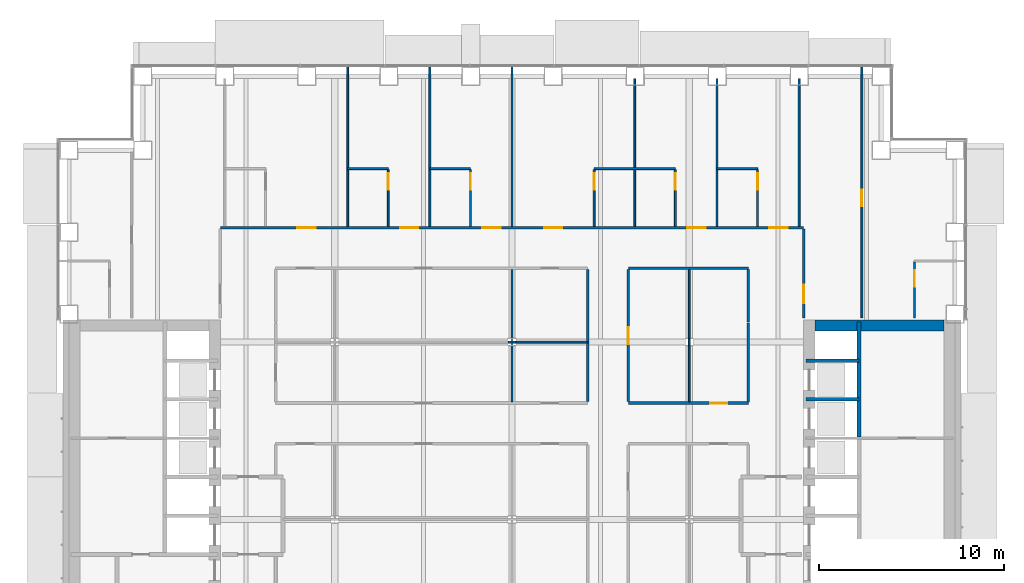
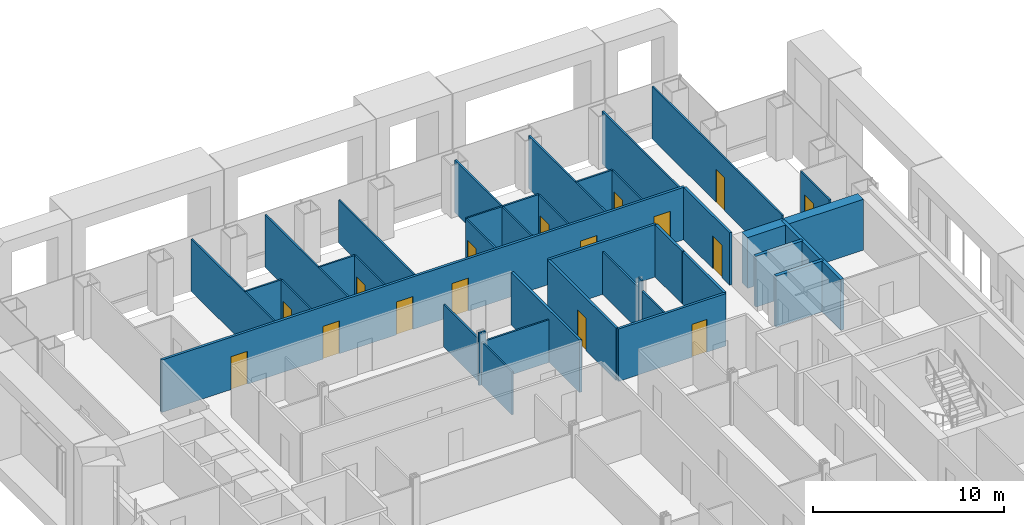
# One storey, part 18 of 25: 37 walls, 16 doors, 16 openings.
"""IFC4 building model written with IfcOpenShell, lengths in metres."""

from ifc_helpers import new_model, si_unit, direction, frame, frame_2d, origin, place, context, subcontext, project, spatial, rectangle, extrude, material, layer, layer_set, type_object, element, fill, save


model = new_model("IFC4")

# Units and contexts
model_context = context("Model", 3, precision=1e-05, world=origin(), true_north=direction((0.0, 1.0)))
body_context = subcontext(model_context, "Body", "Model", "MODEL_VIEW")
ifc_project = project(units=[si_unit("LENGTHUNIT", "METRE"), si_unit("AREAUNIT", "SQUARE_METRE"), si_unit("VOLUMEUNIT", "CUBIC_METRE"), si_unit("PLANEANGLEUNIT", "RADIAN"), si_unit("MASSUNIT", "GRAM", prefix="KILO")], contexts=[model_context])

# Site, building, storey
site_placement = place(None, origin())
site = spatial("IfcSite", under=ifc_project, at=site_placement, CompositionType="ELEMENT")
building_placement = place(site_placement, origin())
building = spatial("IfcBuilding", under=site, at=building_placement, Name="Cobrizo Arcos Hotel Tower", CompositionType="ELEMENT")
storey_placement = place(building_placement, frame((0.0, 0.0, 53.0)))
storey = spatial("IfcBuildingStorey", under=building, at=storey_placement, Name="L11", CompositionType="ELEMENT", Elevation=53.0)

# Wall, opening, door
ifc_material_1 = material(Name="Gypsum board partition")
ifc_layer_1 = layer(ifc_material_1, 0.14990234375)
ifc_layer_set_1 = layer_set([ifc_layer_1], Name="Corridor wall EI 60 150")
wall_type_1 = type_object("IfcWallType", Name="Corridor wall EI 60 150", PredefinedType="PARTITIONING", material=ifc_layer_set_1)
wall_1_placement = place(storey_placement, frame((6.300048828125, 6.300048828125, 0.0), z_axis=(0.0, 0.0, 1.0), x_axis=(1.0, 0.0, 0.0)))
wall_1 = element("IfcWall", 1, at=wall_1_placement, inside=storey, type_object=wall_type_1, Name="Partition 044", PredefinedType="PARTITIONING", context=body_context, shape_type="SweptSolid", body=[
    extrude(rectangle(XDim=6.5, YDim=0.14990234375, at=frame_2d((3.25, 0.0))), origin(), (0.0, 0.0, 1.0), 3.35009765625),
])
opening_1_placement = place(wall_1_placement, frame((4.449951171875, 0.0, 0.0)))
opening_1 = element("IfcOpeningElement", 2, at=opening_1_placement, cuts=wall_1, Name="Opening RD-23", PredefinedType="OPENING", context=body_context, shape_type="SweptSolid", body=[
    extrude(rectangle(XDim=0.89990234375, YDim=2.10009765625, at=frame_2d((0.449951171875, 1.050048828125))), frame((0.0, 0.0869140625, 0.0), z_axis=(0.0, -1.0, 0.0), x_axis=(1.0, 0.0, 0.0)), (0.0, 0.0, 1.0), 0.173828125),
])
ifc_material_2 = material(Name="Timber door leaf", Category="wood")
door_type_1 = type_object("IfcDoorType", Name="Room door FD30 900x2100", OperationType="SINGLE_SWING_LEFT", PredefinedType="DOOR", material=ifc_material_2)
door_1_placement = place(opening_1_placement, origin())
door_1 = element("IfcDoor", 3, at=door_1_placement, inside=storey, type_object=door_type_1, Name="Door RD-23", OperationType="SINGLE_SWING_LEFT", OverallHeight=2.10009765625, OverallWidth=0.89990234375, PredefinedType="DOOR", context=body_context, shape_type="SweptSolid", body=[
    extrude(rectangle(XDim=0.89990234375, YDim=2.10009765625, at=frame_2d((0.449951171875, 1.050048828125))), frame((0.0, 0.02490234375, 0.0), z_axis=(0.0, -1.0, 0.0), x_axis=(1.0, 0.0, 0.0)), (0.0, 0.0, 1.0), 0.050048828125),
])
fill(opening_1, door_1)

# Wall
wall_2_placement = place(storey_placement, frame((6.300048828125, 13.60009765625, 0.0), z_axis=(0.0, 0.0, 1.0), x_axis=(1.0, 0.0, 0.0)))
element("IfcWall", 4, at=wall_2_placement, inside=storey, type_object=wall_type_1, Name="Partition 055", PredefinedType="PARTITIONING", context=body_context, shape_type="SweptSolid", body=[
    extrude(rectangle(XDim=6.5, YDim=0.14990234375, at=frame_2d((3.25, 0.0))), origin(), (0.0, 0.0, 1.0), 3.35009765625),
])

# Wall, openings, doors
wall_3_placement = place(storey_placement, frame((-15.800048828125, 15.800048828125, 0.0), z_axis=(0.0, 0.0, 1.0), x_axis=(1.0, 0.0, 0.0)))
wall_3 = element("IfcWall", 5, at=wall_3_placement, inside=storey, type_object=wall_type_1, Name="Partition 058", PredefinedType="PARTITIONING", context=body_context, shape_type="SweptSolid", body=[
    extrude(rectangle(XDim=31.60009765625, YDim=0.14990234375, at=frame_2d((15.800048828125, 0.0))), origin(), (0.0, 0.0, 1.0), 3.35009765625),
])
opening_2_placement = place(wall_3_placement, frame((4.177978515625, 0.0, 0.0)))
opening_2 = element("IfcOpeningElement", 6, at=opening_2_placement, cuts=wall_3, Name="Opening GD-01", PredefinedType="OPENING", context=body_context, shape_type="SweptSolid", body=[
    extrude(rectangle(XDim=1.0, YDim=2.10009765625, at=frame_2d((0.5, 1.050048828125))), frame((0.0, 0.0869140625, 0.0), z_axis=(0.0, -1.0, 0.0), x_axis=(1.0, 0.0, 0.0)), (0.0, 0.0, 1.0), 0.173828125),
])
opening_3_placement = place(wall_3_placement, frame((9.73388671875, 0.0, 0.0)))
opening_3 = element("IfcOpeningElement", 7, at=opening_3_placement, cuts=wall_3, Name="Opening GD-02", PredefinedType="OPENING", context=body_context, shape_type="SweptSolid", body=[
    extrude(rectangle(XDim=1.0, YDim=2.10009765625, at=frame_2d((0.5, 1.050048828125))), frame((0.0, 0.0869140625, 0.0), z_axis=(0.0, -1.0, 0.0), x_axis=(1.0, 0.0, 0.0)), (0.0, 0.0, 1.0), 0.173828125),
])
opening_4_placement = place(wall_3_placement, frame((14.177978515625, 0.0, 0.0)))
opening_4 = element("IfcOpeningElement", 8, at=opening_4_placement, cuts=wall_3, Name="Opening GD-03", PredefinedType="OPENING", context=body_context, shape_type="SweptSolid", body=[
    extrude(rectangle(XDim=1.0, YDim=2.10009765625, at=frame_2d((0.5, 1.050048828125))), frame((0.0, 0.0869140625, 0.0), z_axis=(0.0, -1.0, 0.0), x_axis=(1.0, 0.0, 0.0)), (0.0, 0.0, 1.0), 0.173828125),
])
opening_5_placement = place(wall_3_placement, frame((17.533935546875, 0.0, 0.0)))
opening_5 = element("IfcOpeningElement", 9, at=opening_5_placement, cuts=wall_3, Name="Opening GD-04", PredefinedType="OPENING", context=body_context, shape_type="SweptSolid", body=[
    extrude(rectangle(XDim=1.0, YDim=2.10009765625, at=frame_2d((0.5, 1.050048828125))), frame((0.0, 0.0869140625, 0.0), z_axis=(0.0, -1.0, 0.0), x_axis=(1.0, 0.0, 0.0)), (0.0, 0.0, 1.0), 0.173828125),
])
opening_6_placement = place(wall_3_placement, frame((25.2890625, 0.0, 0.0)))
opening_6 = element("IfcOpeningElement", 10, at=opening_6_placement, cuts=wall_3, Name="Opening GD-05", PredefinedType="OPENING", context=body_context, shape_type="SweptSolid", body=[
    extrude(rectangle(XDim=1.0, YDim=2.10009765625, at=frame_2d((0.5, 1.050048828125))), frame((0.0, 0.0869140625, 0.0), z_axis=(0.0, -1.0, 0.0), x_axis=(1.0, 0.0, 0.0)), (0.0, 0.0, 1.0), 0.173828125),
])
opening_7_placement = place(wall_3_placement, frame((29.73291015625, 0.0, 0.0)))
opening_7 = element("IfcOpeningElement", 11, at=opening_7_placement, cuts=wall_3, Name="Opening GD-06", PredefinedType="OPENING", context=body_context, shape_type="SweptSolid", body=[
    extrude(rectangle(XDim=1.0, YDim=2.10009765625, at=frame_2d((0.5, 1.050048828125))), frame((0.0, 0.0869140625, 0.0), z_axis=(0.0, -1.0, 0.0), x_axis=(1.0, 0.0, 0.0)), (0.0, 0.0, 1.0), 0.173828125),
])
door_type_2 = type_object("IfcDoorType", Name="Guest room door FD30S 1000x2100", OperationType="SINGLE_SWING_LEFT", PredefinedType="DOOR", material=ifc_material_2)
door_2_placement = place(opening_2_placement, origin())
door_2 = element("IfcDoor", 12, at=door_2_placement, inside=storey, type_object=door_type_2, Name="Door GD-01", OperationType="SINGLE_SWING_LEFT", OverallHeight=2.10009765625, OverallWidth=1.0, PredefinedType="DOOR", context=body_context, shape_type="SweptSolid", body=[
    extrude(rectangle(XDim=1.0, YDim=2.10009765625, at=frame_2d((0.5, 1.050048828125))), frame((0.0, 0.02490234375, 0.0), z_axis=(0.0, -1.0, 0.0), x_axis=(1.0, 0.0, 0.0)), (0.0, 0.0, 1.0), 0.050048828125),
])
fill(opening_2, door_2)
door_3_placement = place(opening_3_placement, origin())
door_3 = element("IfcDoor", 13, at=door_3_placement, inside=storey, type_object=door_type_2, Name="Door GD-02", OperationType="SINGLE_SWING_LEFT", OverallHeight=2.10009765625, OverallWidth=1.0, PredefinedType="DOOR", context=body_context, shape_type="SweptSolid", body=[
    extrude(rectangle(XDim=1.0, YDim=2.10009765625, at=frame_2d((0.5, 1.050048828125))), frame((0.0, 0.02490234375, 0.0), z_axis=(0.0, -1.0, 0.0), x_axis=(1.0, 0.0, 0.0)), (0.0, 0.0, 1.0), 0.050048828125),
])
fill(opening_3, door_3)
door_4_placement = place(opening_4_placement, origin())
door_4 = element("IfcDoor", 14, at=door_4_placement, inside=storey, type_object=door_type_2, Name="Door GD-03", OperationType="SINGLE_SWING_LEFT", OverallHeight=2.10009765625, OverallWidth=1.0, PredefinedType="DOOR", context=body_context, shape_type="SweptSolid", body=[
    extrude(rectangle(XDim=1.0, YDim=2.10009765625, at=frame_2d((0.5, 1.050048828125))), frame((0.0, 0.02490234375, 0.0), z_axis=(0.0, -1.0, 0.0), x_axis=(1.0, 0.0, 0.0)), (0.0, 0.0, 1.0), 0.050048828125),
])
fill(opening_4, door_4)
door_5_placement = place(opening_5_placement, origin())
door_5 = element("IfcDoor", 15, at=door_5_placement, inside=storey, type_object=door_type_2, Name="Door GD-04", OperationType="SINGLE_SWING_RIGHT", OverallHeight=2.10009765625, OverallWidth=1.0, PredefinedType="DOOR", context=body_context, shape_type="SweptSolid", body=[
    extrude(rectangle(XDim=1.0, YDim=2.10009765625, at=frame_2d((0.5, 1.050048828125))), frame((0.0, 0.02490234375, 0.0), z_axis=(0.0, -1.0, 0.0), x_axis=(1.0, 0.0, 0.0)), (0.0, 0.0, 1.0), 0.050048828125),
])
fill(opening_5, door_5)
door_6_placement = place(opening_6_placement, origin())
door_6 = element("IfcDoor", 16, at=door_6_placement, inside=storey, type_object=door_type_2, Name="Door GD-05", OperationType="SINGLE_SWING_LEFT", OverallHeight=2.10009765625, OverallWidth=1.0, PredefinedType="DOOR", context=body_context, shape_type="SweptSolid", body=[
    extrude(rectangle(XDim=1.0, YDim=2.10009765625, at=frame_2d((0.5, 1.050048828125))), frame((0.0, 0.02490234375, 0.0), z_axis=(0.0, -1.0, 0.0), x_axis=(1.0, 0.0, 0.0)), (0.0, 0.0, 1.0), 0.050048828125),
])
fill(opening_6, door_6)
door_7_placement = place(opening_7_placement, origin())
door_7 = element("IfcDoor", 17, at=door_7_placement, inside=storey, type_object=door_type_2, Name="Door GD-06", OperationType="SINGLE_SWING_LEFT", OverallHeight=2.10009765625, OverallWidth=1.0, PredefinedType="DOOR", context=body_context, shape_type="SweptSolid", body=[
    extrude(rectangle(XDim=1.0, YDim=2.10009765625, at=frame_2d((0.5, 1.050048828125))), frame((0.0, 0.02490234375, 0.0), z_axis=(0.0, -1.0, 0.0), x_axis=(1.0, 0.0, 0.0)), (0.0, 0.0, 1.0), 0.050048828125),
])
fill(opening_7, door_7)

# Wall
wall_4_placement = place(storey_placement, frame((4.10009765625, 6.375, 0.0), z_axis=(0.0, 0.0, 1.0), x_axis=(0.0, 1.0, 0.0)))
element("IfcWall", 18, at=wall_4_placement, inside=storey, type_object=wall_type_1, Name="Partition 105", PredefinedType="PARTITIONING", context=body_context, shape_type="SweptSolid", body=[
    extrude(rectangle(XDim=7.14990234375, YDim=0.14990234375, at=frame_2d((3.574951171875, 0.0))), origin(), (0.0, 0.0, 1.0), 3.35009765625),
])

# Wall, opening, door
wall_5_placement = place(storey_placement, frame((6.300048828125, 6.375, 0.0), z_axis=(0.0, 0.0, 1.0), x_axis=(0.0, 1.0, 0.0)))
wall_5 = element("IfcWall", 19, at=wall_5_placement, inside=storey, type_object=wall_type_1, Name="Partition 109", PredefinedType="PARTITIONING", context=body_context, shape_type="SweptSolid", body=[
    extrude(rectangle(XDim=7.14990234375, YDim=0.14990234375, at=frame_2d((3.574951171875, 0.0))), origin(), (0.0, 0.0, 1.0), 3.35009765625),
])
opening_8_placement = place(wall_5_placement, frame((3.125, 0.0, 0.0)))
opening_8 = element("IfcOpeningElement", 20, at=opening_8_placement, cuts=wall_5, Name="Opening RD-24", PredefinedType="OPENING", context=body_context, shape_type="SweptSolid", body=[
    extrude(rectangle(XDim=0.89990234375, YDim=2.10009765625, at=frame_2d((0.449951171875, 1.050048828125))), frame((0.0, 0.0869140625, 0.0), z_axis=(0.0, -1.0, 0.0), x_axis=(1.0, 0.0, 0.0)), (0.0, 0.0, 1.0), 0.173828125),
])
door_8_placement = place(opening_8_placement, origin())
door_8 = element("IfcDoor", 21, at=door_8_placement, inside=storey, type_object=door_type_1, Name="Door RD-24", OperationType="SINGLE_SWING_RIGHT", OverallHeight=2.10009765625, OverallWidth=0.89990234375, PredefinedType="DOOR", context=body_context, shape_type="SweptSolid", body=[
    extrude(rectangle(XDim=0.89990234375, YDim=2.10009765625, at=frame_2d((0.449951171875, 1.050048828125))), frame((0.0, 0.02490234375, 0.0), z_axis=(0.0, -1.0, 0.0), x_axis=(1.0, 0.0, 0.0)), (0.0, 0.0, 1.0), 0.050048828125),
])
fill(opening_8, door_8)

# Walls
wall_6_placement = place(storey_placement, frame((12.800048828125, 6.35009765625, 0.0), z_axis=(0.0, 0.0, 1.0), x_axis=(0.0, 1.0, 0.0)))
element("IfcWall", 22, at=wall_6_placement, inside=storey, type_object=wall_type_1, Name="Partition 124", PredefinedType="PARTITIONING", context=body_context, shape_type="SweptSolid", body=[
    extrude(rectangle(XDim=4.2998046875, YDim=0.14990234375, at=frame_2d((2.14990234375, 0.0))), origin(), (0.0, 0.0, 1.0), 3.35009765625),
])
wall_7_placement = place(storey_placement, frame((12.800048828125, 10.699951171875, 0.0), z_axis=(0.0, 0.0, 1.0), x_axis=(0.0, 1.0, 0.0)))
element("IfcWall", 23, at=wall_7_placement, inside=storey, type_object=wall_type_1, Name="Partition 125", PredefinedType="PARTITIONING", context=body_context, shape_type="SweptSolid", body=[
    extrude(rectangle(XDim=2.824951171875, YDim=0.14990234375, at=frame_2d((1.41259765625, 0.0))), origin(), (0.0, 0.0, 1.0), 3.35009765625),
])

# Wall, opening, door
wall_8_placement = place(storey_placement, frame((15.800048828125, 10.919921875, 0.0), z_axis=(0.0, 0.0, 1.0), x_axis=(0.0, 1.0, 0.0)))
wall_8 = element("IfcWall", 24, at=wall_8_placement, inside=storey, type_object=wall_type_1, Name="Partition 131", PredefinedType="PARTITIONING", context=body_context, shape_type="SweptSolid", body=[
    extrude(rectangle(XDim=4.80517578125, YDim=0.14990234375, at=frame_2d((2.402587890625, 0.0))), origin(), (0.0, 0.0, 1.0), 3.35009765625),
])
opening_9_placement = place(wall_8_placement, frame((0.780029296875, 0.0, 0.0)))
opening_9 = element("IfcOpeningElement", 25, at=opening_9_placement, cuts=wall_8, Name="Opening GD-15", PredefinedType="OPENING", context=body_context, shape_type="SweptSolid", body=[
    extrude(rectangle(XDim=1.0, YDim=2.10009765625, at=frame_2d((0.5, 1.050048828125))), frame((0.0, 0.0869140625, 0.0), z_axis=(0.0, -1.0, 0.0), x_axis=(1.0, 0.0, 0.0)), (0.0, 0.0, 1.0), 0.173828125),
])
door_9_placement = place(opening_9_placement, origin())
door_9 = element("IfcDoor", 26, at=door_9_placement, inside=storey, type_object=door_type_2, Name="Door GD-15", OperationType="SINGLE_SWING_LEFT", OverallHeight=2.10009765625, OverallWidth=1.0, PredefinedType="DOOR", context=body_context, shape_type="SweptSolid", body=[
    extrude(rectangle(XDim=1.0, YDim=2.10009765625, at=frame_2d((0.5, 1.050048828125))), frame((0.0, 0.02490234375, 0.0), z_axis=(0.0, -1.0, 0.0), x_axis=(1.0, 0.0, 0.0)), (0.0, 0.0, 1.0), 0.050048828125),
])
fill(opening_9, door_9)

# Walls
ifc_layer_2 = layer(ifc_material_1, 0.10009765625)
ifc_layer_set_2 = layer_set([ifc_layer_2], Name="Partition EI 30 100")
wall_type_2 = type_object("IfcWallType", Name="Partition EI 30 100", PredefinedType="PARTITIONING", material=ifc_layer_set_2)
wall_9_placement = place(storey_placement, frame((-0.2041015625, 9.60009765625, 0.0), z_axis=(0.0, 0.0, 1.0), x_axis=(1.0, 0.0, 0.0)))
element("IfcWall", 27, at=wall_9_placement, inside=storey, type_object=wall_type_2, Name="Partition 052", PredefinedType="PARTITIONING", context=body_context, shape_type="SweptSolid", body=[
    extrude(rectangle(XDim=0.408203125, YDim=0.10009765625, at=frame_2d((0.2041015625, 0.0))), origin(), (0.0, 0.0, 1.0), 3.35009765625),
])
wall_10_placement = place(storey_placement, frame((0.2041015625, 9.60009765625, 0.0), z_axis=(0.0, 0.0, 1.0), x_axis=(1.0, 0.0, 0.0)))
element("IfcWall", 28, at=wall_10_placement, inside=storey, type_object=wall_type_2, Name="Partition 053", PredefinedType="PARTITIONING", context=body_context, shape_type="SweptSolid", body=[
    extrude(rectangle(XDim=3.89599609375, YDim=0.10009765625, at=frame_2d((1.947998046875, 0.0))), origin(), (0.0, 0.0, 1.0), 2.72802734375),
])
for number, where, z_axis, x_axis, name in (
    (29, (-8.89990234375, 19.0, 0.0), (0.0, 0.0, 1.0), (1.0, 0.0, 0.0), "Partition 060"),
    (30, (-4.449951171875, 19.0, 0.0), (0.0, 0.0, 1.0), (1.0, 0.0, 0.0), "Partition 061"),
):
    element("IfcWall", number, at=place(storey_placement, frame(where, z_axis=z_axis, x_axis=x_axis)), inside=storey, type_object=wall_type_2, Name=name, PredefinedType="PARTITIONING", context=body_context, shape_type="SweptSolid", body=[
        extrude(rectangle(XDim=2.199951171875, YDim=0.10009765625, at=frame_2d((1.10009765625, 0.0))), origin(), (0.0, 0.0, 1.0), 3.35009765625),
    ])
wall_11_placement = place(storey_placement, frame((4.449951171875, 19.0, 0.0), z_axis=(0.0, 0.0, 1.0), x_axis=(1.0, 0.0, 0.0)))
element("IfcWall", 31, at=wall_11_placement, inside=storey, type_object=wall_type_2, Name="Partition 062", PredefinedType="PARTITIONING", context=body_context, shape_type="SweptSolid", body=[
    extrude(rectangle(XDim=4.400146484375, YDim=0.10009765625, at=frame_2d((2.2001953125, 0.0))), origin(), (0.0, 0.0, 1.0), 3.35009765625),
])
wall_12_placement = place(storey_placement, frame((11.10009765625, 19.0, 0.0), z_axis=(0.0, 0.0, 1.0), x_axis=(1.0, 0.0, 0.0)))
element("IfcWall", 32, at=wall_12_placement, inside=storey, type_object=wall_type_2, Name="Partition 063", PredefinedType="PARTITIONING", context=body_context, shape_type="SweptSolid", body=[
    extrude(rectangle(XDim=2.199951171875, YDim=0.10009765625, at=frame_2d((1.10009765625, 0.0))), origin(), (0.0, 0.0, 1.0), 3.35009765625),
])
wall_13_placement = place(storey_placement, frame((-8.89990234375, 15.875, 0.0), z_axis=(0.0, 0.0, 1.0), x_axis=(0.0, 1.0, 0.0)))
element("IfcWall", 33, at=wall_13_placement, inside=storey, type_object=wall_type_2, Name="Partition 088", PredefinedType="PARTITIONING", context=body_context, shape_type="SweptSolid", body=[
    extrude(rectangle(XDim=8.655029296875, YDim=0.10009765625, at=frame_2d((4.32763671875, 0.0))), origin(), (0.0, 0.0, 1.0), 3.35009765625),
])

# Wall, opening, door
wall_14_placement = place(storey_placement, frame((-6.699951171875, 15.875, 0.0), z_axis=(0.0, 0.0, 1.0), x_axis=(0.0, 1.0, 0.0)))
wall_14 = element("IfcWall", 34, at=wall_14_placement, inside=storey, type_object=wall_type_2, Name="Partition 090", PredefinedType="PARTITIONING", context=body_context, shape_type="SweptSolid", body=[
    extrude(rectangle(XDim=3.074951171875, YDim=0.10009765625, at=frame_2d((1.53759765625, 0.0))), origin(), (0.0, 0.0, 1.0), 3.35009765625),
])
opening_10_placement = place(wall_14_placement, frame((1.970947265625, 0.0, 0.0)))
opening_10 = element("IfcOpeningElement", 35, at=opening_10_placement, cuts=wall_14, Name="Opening ED-02", PredefinedType="OPENING", context=body_context, shape_type="SweptSolid", body=[
    extrude(rectangle(XDim=0.89990234375, YDim=2.10009765625, at=frame_2d((0.449951171875, 1.050048828125))), frame((0.0, 0.06201171875, 0.0), z_axis=(0.0, -1.0, 0.0), x_axis=(1.0, 0.0, 0.0)), (0.0, 0.0, 1.0), 0.1240234375),
])
door_type_3 = type_object("IfcDoorType", Name="En-suite door 900x2100", OperationType="SINGLE_SWING_LEFT", PredefinedType="DOOR", material=ifc_material_2)
door_10_placement = place(opening_10_placement, origin())
door_10 = element("IfcDoor", 36, at=door_10_placement, inside=storey, type_object=door_type_3, Name="Door ED-02", OperationType="SINGLE_SWING_LEFT", OverallHeight=2.10009765625, OverallWidth=0.89990234375, PredefinedType="DOOR", context=body_context, shape_type="SweptSolid", body=[
    extrude(rectangle(XDim=0.89990234375, YDim=2.10009765625, at=frame_2d((0.449951171875, 1.050048828125))), frame((0.0, 0.02490234375, 0.0), z_axis=(0.0, -1.0, 0.0), x_axis=(1.0, 0.0, 0.0)), (0.0, 0.0, 1.0), 0.050048828125),
])
fill(opening_10, door_10)

# Wall
wall_15_placement = place(storey_placement, frame((-4.449951171875, 15.875, 0.0), z_axis=(0.0, 0.0, 1.0), x_axis=(0.0, 1.0, 0.0)))
element("IfcWall", 37, at=wall_15_placement, inside=storey, type_object=wall_type_2, Name="Partition 092", PredefinedType="PARTITIONING", context=body_context, shape_type="SweptSolid", body=[
    extrude(rectangle(XDim=8.655029296875, YDim=0.10009765625, at=frame_2d((4.32763671875, 0.0))), origin(), (0.0, 0.0, 1.0), 3.35009765625),
])

# Wall, opening, door
wall_16_placement = place(storey_placement, frame((-2.25, 15.875, 0.0), z_axis=(0.0, 0.0, 1.0), x_axis=(0.0, 1.0, 0.0)))
wall_16 = element("IfcWall", 38, at=wall_16_placement, inside=storey, type_object=wall_type_2, Name="Partition 094", PredefinedType="PARTITIONING", context=body_context, shape_type="SweptSolid", body=[
    extrude(rectangle(XDim=3.074951171875, YDim=0.10009765625, at=frame_2d((1.53759765625, 0.0))), origin(), (0.0, 0.0, 1.0), 3.35009765625),
])
opening_11_placement = place(wall_16_placement, frame((1.970947265625, 0.0, 0.0)))
opening_11 = element("IfcOpeningElement", 39, at=opening_11_placement, cuts=wall_16, Name="Opening ED-03", PredefinedType="OPENING", context=body_context, shape_type="SweptSolid", body=[
    extrude(rectangle(XDim=0.89990234375, YDim=2.10009765625, at=frame_2d((0.449951171875, 1.050048828125))), frame((0.0, 0.06201171875, 0.0), z_axis=(0.0, -1.0, 0.0), x_axis=(1.0, 0.0, 0.0)), (0.0, 0.0, 1.0), 0.1240234375),
])
door_11_placement = place(opening_11_placement, origin())
door_11 = element("IfcDoor", 40, at=door_11_placement, inside=storey, type_object=door_type_3, Name="Door ED-03", OperationType="SINGLE_SWING_LEFT", OverallHeight=2.10009765625, OverallWidth=0.89990234375, PredefinedType="DOOR", context=body_context, shape_type="SweptSolid", body=[
    extrude(rectangle(XDim=0.89990234375, YDim=2.10009765625, at=frame_2d((0.449951171875, 1.050048828125))), frame((0.0, 0.02490234375, 0.0), z_axis=(0.0, -1.0, 0.0), x_axis=(1.0, 0.0, 0.0)), (0.0, 0.0, 1.0), 0.050048828125),
])
fill(opening_11, door_11)

# Walls
wall_17_placement = place(storey_placement, frame((0.0, 6.375, 0.0), z_axis=(0.0, 0.0, 1.0), x_axis=(0.0, 1.0, 0.0)))
element("IfcWall", 41, at=wall_17_placement, inside=storey, type_object=wall_type_2, Name="Partition 099", PredefinedType="PARTITIONING", context=body_context, shape_type="SweptSolid", body=[
    extrude(rectangle(XDim=3.175048828125, YDim=0.10009765625, at=frame_2d((1.58740234375, 0.0))), origin(), (0.0, 0.0, 1.0), 2.72802734375),
])
wall_18_placement = place(storey_placement, frame((0.0, 9.64990234375, 0.0), z_axis=(0.0, 0.0, 1.0), x_axis=(0.0, 1.0, 0.0)))
element("IfcWall", 42, at=wall_18_placement, inside=storey, type_object=wall_type_2, Name="Partition 100", PredefinedType="PARTITIONING", context=body_context, shape_type="SweptSolid", body=[
    extrude(rectangle(XDim=3.875, YDim=0.10009765625, at=frame_2d((1.9375, 0.0))), origin(), (0.0, 0.0, 1.0), 2.72802734375),
])
wall_19_placement = place(storey_placement, frame((0.0, 15.875, 0.0), z_axis=(0.0, 0.0, 1.0), x_axis=(0.0, 1.0, 0.0)))
element("IfcWall", 43, at=wall_19_placement, inside=storey, type_object=wall_type_2, Name="Partition 101", PredefinedType="PARTITIONING", context=body_context, shape_type="SweptSolid", body=[
    extrude(rectangle(XDim=8.655029296875, YDim=0.10009765625, at=frame_2d((4.32763671875, 0.0))), origin(), (0.0, 0.0, 1.0), 2.72802734375),
])

# Wall, opening, door
wall_20_placement = place(storey_placement, frame((4.449951171875, 15.875, 0.0), z_axis=(0.0, 0.0, 1.0), x_axis=(0.0, 1.0, 0.0)))
wall_20 = element("IfcWall", 44, at=wall_20_placement, inside=storey, type_object=wall_type_2, Name="Partition 107", PredefinedType="PARTITIONING", context=body_context, shape_type="SweptSolid", body=[
    extrude(rectangle(XDim=3.074951171875, YDim=0.10009765625, at=frame_2d((1.53759765625, 0.0))), origin(), (0.0, 0.0, 1.0), 3.35009765625),
])
opening_12_placement = place(wall_20_placement, frame((1.970947265625, 0.0, 0.0)))
opening_12 = element("IfcOpeningElement", 45, at=opening_12_placement, cuts=wall_20, Name="Opening ED-04", PredefinedType="OPENING", context=body_context, shape_type="SweptSolid", body=[
    extrude(rectangle(XDim=0.89990234375, YDim=2.10009765625, at=frame_2d((0.449951171875, 1.050048828125))), frame((0.0, 0.06201171875, 0.0), z_axis=(0.0, -1.0, 0.0), x_axis=(1.0, 0.0, 0.0)), (0.0, 0.0, 1.0), 0.1240234375),
])
door_12_placement = place(opening_12_placement, origin())
door_12 = element("IfcDoor", 46, at=door_12_placement, inside=storey, type_object=door_type_3, Name="Door ED-04", OperationType="SINGLE_SWING_RIGHT", OverallHeight=2.10009765625, OverallWidth=0.89990234375, PredefinedType="DOOR", context=body_context, shape_type="SweptSolid", body=[
    extrude(rectangle(XDim=0.89990234375, YDim=2.10009765625, at=frame_2d((0.449951171875, 1.050048828125))), frame((0.0, 0.02490234375, 0.0), z_axis=(0.0, -1.0, 0.0), x_axis=(1.0, 0.0, 0.0)), (0.0, 0.0, 1.0), 0.050048828125),
])
fill(opening_12, door_12)

# Walls
wall_21_placement = place(storey_placement, frame((6.64990234375, 15.875, 0.0), z_axis=(0.0, 0.0, 1.0), x_axis=(0.0, 1.0, 0.0)))
element("IfcWall", 47, at=wall_21_placement, inside=storey, type_object=wall_type_2, Name="Partition 110", PredefinedType="PARTITIONING", context=body_context, shape_type="SweptSolid", body=[
    extrude(rectangle(XDim=3.074951171875, YDim=0.10009765625, at=frame_2d((1.53759765625, 0.0))), origin(), (0.0, 0.0, 1.0), 3.35009765625),
])
wall_22_placement = place(storey_placement, frame((6.64990234375, 19.050048828125, 0.0), z_axis=(0.0, 0.0, 1.0), x_axis=(0.0, 1.0, 0.0)))
element("IfcWall", 48, at=wall_22_placement, inside=storey, type_object=wall_type_2, Name="Partition 111", PredefinedType="PARTITIONING", context=body_context, shape_type="SweptSolid", body=[
    extrude(rectangle(XDim=4.829833984375, YDim=0.10009765625, at=frame_2d((2.4150390625, 0.0))), origin(), (0.0, 0.0, 1.0), 3.35009765625),
])

# Wall, opening, door
wall_23_placement = place(storey_placement, frame((8.85009765625, 15.875, 0.0), z_axis=(0.0, 0.0, 1.0), x_axis=(0.0, 1.0, 0.0)))
wall_23 = element("IfcWall", 49, at=wall_23_placement, inside=storey, type_object=wall_type_2, Name="Partition 112", PredefinedType="PARTITIONING", context=body_context, shape_type="SweptSolid", body=[
    extrude(rectangle(XDim=3.074951171875, YDim=0.10009765625, at=frame_2d((1.53759765625, 0.0))), origin(), (0.0, 0.0, 1.0), 3.35009765625),
])
opening_13_placement = place(wall_23_placement, frame((1.970947265625, 0.0, 0.0)))
opening_13 = element("IfcOpeningElement", 50, at=opening_13_placement, cuts=wall_23, Name="Opening ED-05", PredefinedType="OPENING", context=body_context, shape_type="SweptSolid", body=[
    extrude(rectangle(XDim=0.89990234375, YDim=2.10009765625, at=frame_2d((0.449951171875, 1.050048828125))), frame((0.0, 0.06201171875, 0.0), z_axis=(0.0, -1.0, 0.0), x_axis=(1.0, 0.0, 0.0)), (0.0, 0.0, 1.0), 0.1240234375),
])
door_13_placement = place(opening_13_placement, origin())
door_13 = element("IfcDoor", 51, at=door_13_placement, inside=storey, type_object=door_type_3, Name="Door ED-05", OperationType="SINGLE_SWING_RIGHT", OverallHeight=2.10009765625, OverallWidth=0.89990234375, PredefinedType="DOOR", context=body_context, shape_type="SweptSolid", body=[
    extrude(rectangle(XDim=0.89990234375, YDim=2.10009765625, at=frame_2d((0.449951171875, 1.050048828125))), frame((0.0, 0.02490234375, 0.0), z_axis=(0.0, -1.0, 0.0), x_axis=(1.0, 0.0, 0.0)), (0.0, 0.0, 1.0), 0.050048828125),
])
fill(opening_13, door_13)

# Walls
wall_24_placement = place(storey_placement, frame((9.60009765625, 6.375, 0.0), z_axis=(0.0, 0.0, 1.0), x_axis=(0.0, 1.0, 0.0)))
element("IfcWall", 52, at=wall_24_placement, inside=storey, type_object=wall_type_2, Name="Partition 117", PredefinedType="PARTITIONING", context=body_context, shape_type="SweptSolid", body=[
    extrude(rectangle(XDim=3.02099609375, YDim=0.10009765625, at=frame_2d((1.510498046875, 0.0))), origin(), (0.0, 0.0, 1.0), 2.72802734375),
])
wall_25_placement = place(storey_placement, frame((9.60009765625, 9.39599609375, 0.0), z_axis=(0.0, 0.0, 1.0), x_axis=(0.0, 1.0, 0.0)))
element("IfcWall", 53, at=wall_25_placement, inside=storey, type_object=wall_type_2, Name="Partition 118", PredefinedType="PARTITIONING", context=body_context, shape_type="SweptSolid", body=[
    extrude(rectangle(XDim=0.407958984375, YDim=0.10009765625, at=frame_2d((0.2041015625, 0.0))), origin(), (0.0, 0.0, 1.0), 3.35009765625),
])
wall_26_placement = place(storey_placement, frame((9.60009765625, 9.803955078125, 0.0), z_axis=(0.0, 0.0, 1.0), x_axis=(0.0, 1.0, 0.0)))
element("IfcWall", 54, at=wall_26_placement, inside=storey, type_object=wall_type_2, Name="Partition 119", PredefinedType="PARTITIONING", context=body_context, shape_type="SweptSolid", body=[
    extrude(rectangle(XDim=3.720947265625, YDim=0.10009765625, at=frame_2d((1.8603515625, 0.0))), origin(), (0.0, 0.0, 1.0), 2.72802734375),
])
wall_27_placement = place(storey_placement, frame((11.10009765625, 15.875, 0.0), z_axis=(0.0, 0.0, 1.0), x_axis=(0.0, 1.0, 0.0)))
element("IfcWall", 55, at=wall_27_placement, inside=storey, type_object=wall_type_2, Name="Partition 120", PredefinedType="PARTITIONING", context=body_context, shape_type="SweptSolid", body=[
    extrude(rectangle(XDim=8.0048828125, YDim=0.10009765625, at=frame_2d((4.00244140625, 0.0))), origin(), (0.0, 0.0, 1.0), 3.35009765625),
])

# Wall, opening, door
wall_28_placement = place(storey_placement, frame((13.300048828125, 15.875, 0.0), z_axis=(0.0, 0.0, 1.0), x_axis=(0.0, 1.0, 0.0)))
wall_28 = element("IfcWall", 56, at=wall_28_placement, inside=storey, type_object=wall_type_2, Name="Partition 126", PredefinedType="PARTITIONING", context=body_context, shape_type="SweptSolid", body=[
    extrude(rectangle(XDim=3.074951171875, YDim=0.10009765625, at=frame_2d((1.53759765625, 0.0))), origin(), (0.0, 0.0, 1.0), 3.35009765625),
])
opening_14_placement = place(wall_28_placement, frame((1.970947265625, 0.0, 0.0)))
opening_14 = element("IfcOpeningElement", 57, at=opening_14_placement, cuts=wall_28, Name="Opening ED-06", PredefinedType="OPENING", context=body_context, shape_type="SweptSolid", body=[
    extrude(rectangle(XDim=0.89990234375, YDim=2.10009765625, at=frame_2d((0.449951171875, 1.050048828125))), frame((0.0, 0.06201171875, 0.0), z_axis=(0.0, -1.0, 0.0), x_axis=(1.0, 0.0, 0.0)), (0.0, 0.0, 1.0), 0.1240234375),
])
door_14_placement = place(opening_14_placement, origin())
door_14 = element("IfcDoor", 58, at=door_14_placement, inside=storey, type_object=door_type_3, Name="Door ED-06", OperationType="SINGLE_SWING_RIGHT", OverallHeight=2.10009765625, OverallWidth=0.89990234375, PredefinedType="DOOR", context=body_context, shape_type="SweptSolid", body=[
    extrude(rectangle(XDim=0.89990234375, YDim=2.10009765625, at=frame_2d((0.449951171875, 1.050048828125))), frame((0.0, 0.02490234375, 0.0), z_axis=(0.0, -1.0, 0.0), x_axis=(1.0, 0.0, 0.0)), (0.0, 0.0, 1.0), 0.050048828125),
])
fill(opening_14, door_14)

# Wall
wall_29_placement = place(storey_placement, frame((15.550048828125, 15.875, 0.0), z_axis=(0.0, 0.0, 1.0), x_axis=(0.0, 1.0, 0.0)))
element("IfcWall", 59, at=wall_29_placement, inside=storey, type_object=wall_type_2, Name="Partition 129", PredefinedType="PARTITIONING", context=body_context, shape_type="SweptSolid", body=[
    extrude(rectangle(XDim=8.0048828125, YDim=0.10009765625, at=frame_2d((4.00244140625, 0.0))), origin(), (0.0, 0.0, 1.0), 3.35009765625),
])

# Wall, opening, door
wall_30_placement = place(storey_placement, frame((18.949951171875, 10.919921875, 0.0), z_axis=(0.0, 0.0, 1.0), x_axis=(0.0, 1.0, 0.0)))
wall_30 = element("IfcWall", 60, at=wall_30_placement, inside=storey, type_object=wall_type_2, Name="Partition 135", PredefinedType="PARTITIONING", context=body_context, shape_type="SweptSolid", body=[
    extrude(rectangle(XDim=13.610107421875, YDim=0.10009765625, at=frame_2d((6.80517578125, 0.0))), origin(), (0.0, 0.0, 1.0), 3.35009765625),
])
opening_15_placement = place(wall_30_placement, frame((6.030029296875, 0.0, 0.0)))
opening_15 = element("IfcOpeningElement", 61, at=opening_15_placement, cuts=wall_30, Name="Opening RD-11", PredefinedType="OPENING", context=body_context, shape_type="SweptSolid", body=[
    extrude(rectangle(XDim=0.89990234375, YDim=2.10009765625, at=frame_2d((0.449951171875, 1.050048828125))), frame((0.0, 0.06201171875, 0.0), z_axis=(0.0, -1.0, 0.0), x_axis=(1.0, 0.0, 0.0)), (0.0, 0.0, 1.0), 0.1240234375),
])
door_15_placement = place(opening_15_placement, origin())
door_15 = element("IfcDoor", 62, at=door_15_placement, inside=storey, type_object=door_type_1, Name="Door RD-11", OperationType="SINGLE_SWING_RIGHT", OverallHeight=2.10009765625, OverallWidth=0.89990234375, PredefinedType="DOOR", context=body_context, shape_type="SweptSolid", body=[
    extrude(rectangle(XDim=0.89990234375, YDim=2.10009765625, at=frame_2d((0.449951171875, 1.050048828125))), frame((0.0, 0.02490234375, 0.0), z_axis=(0.0, -1.0, 0.0), x_axis=(1.0, 0.0, 0.0)), (0.0, 0.0, 1.0), 0.050048828125),
])
fill(opening_15, door_15)

wall_31_placement = place(storey_placement, frame((21.800048828125, 10.919921875, 0.0), z_axis=(0.0, 0.0, 1.0), x_axis=(0.0, 1.0, 0.0)))
wall_31 = element("IfcWall", 63, at=wall_31_placement, inside=storey, type_object=wall_type_2, Name="Partition 139", PredefinedType="PARTITIONING", context=body_context, shape_type="SweptSolid", body=[
    extrude(rectangle(XDim=3.030029296875, YDim=0.10009765625, at=frame_2d((1.51513671875, 0.0))), origin(), (0.0, 0.0, 1.0), 3.35009765625),
])
opening_16_placement = place(wall_31_placement, frame((1.669921875, 0.0, 0.0)))
opening_16 = element("IfcOpeningElement", 64, at=opening_16_placement, cuts=wall_31, Name="Opening ED-15", PredefinedType="OPENING", context=body_context, shape_type="SweptSolid", body=[
    extrude(rectangle(XDim=0.89990234375, YDim=2.10009765625, at=frame_2d((0.449951171875, 1.050048828125))), frame((0.0, 0.06201171875, 0.0), z_axis=(0.0, -1.0, 0.0), x_axis=(1.0, 0.0, 0.0)), (0.0, 0.0, 1.0), 0.1240234375),
])
door_16_placement = place(opening_16_placement, origin())
door_16 = element("IfcDoor", 65, at=door_16_placement, inside=storey, type_object=door_type_3, Name="Door ED-15", OperationType="SINGLE_SWING_LEFT", OverallHeight=2.10009765625, OverallWidth=0.89990234375, PredefinedType="DOOR", context=body_context, shape_type="SweptSolid", body=[
    extrude(rectangle(XDim=0.89990234375, YDim=2.10009765625, at=frame_2d((0.449951171875, 1.050048828125))), frame((0.0, 0.02490234375, 0.0), z_axis=(0.0, -1.0, 0.0), x_axis=(1.0, 0.0, 0.0)), (0.0, 0.0, 1.0), 0.050048828125),
])
fill(opening_16, door_16)

# Walls
ifc_material_3 = material(Name="Concrete f'c 60 MPa", Category="concrete")
ifc_layer_3 = layer(ifc_material_3, 0.60009765625)
ifc_layer_set_3 = layer_set([ifc_layer_3], Name="RC core wall 600 f'c 60")
wall_type_3 = type_object("IfcWallType", Name="RC core wall 600 f'c 60", PredefinedType="SHEAR", material=ifc_layer_set_3)
wall_32_placement = place(storey_placement, frame((16.39990234375, 10.5, 0.0), z_axis=(0.0, 0.0, 1.0), x_axis=(1.0, 0.0, 0.0)))
element("IfcWall", 66, at=wall_32_placement, inside=storey, type_object=wall_type_3, Name="Core wall CW1, east core, north end, L11", PredefinedType="SHEAR", context=body_context, shape_type="SweptSolid", body=[
    extrude(rectangle(XDim=7.0, YDim=0.60009765625, at=frame_2d((3.5, 0.0))), origin(), (0.0, 0.0, 1.0), 3.25),
])
ifc_layer_4 = layer(ifc_material_1, 0.199951171875)
ifc_layer_set_4 = layer_set([ifc_layer_4], Name="Shaft wall EI 120 200")
wall_type_4 = type_object("IfcWallType", Name="Shaft wall EI 120 200", PredefinedType="PARTITIONING", material=ifc_layer_set_4)
for number, where, z_axis, x_axis, name in (
    (67, (15.919921875, 6.5, 0.0), (0.0, 0.0, 1.0), (1.0, 0.0, 0.0), "Partition 046"),
    (68, (15.919921875, 8.60009765625, 0.0), (0.0, 0.0, 1.0), (1.0, 0.0, 0.0), "Partition 048"),
):
    element("IfcWall", number, at=place(storey_placement, frame(where, z_axis=z_axis, x_axis=x_axis)), inside=storey, type_object=wall_type_4, Name=name, PredefinedType="PARTITIONING", context=body_context, shape_type="SweptSolid", body=[
        extrude(rectangle(XDim=2.880126953125, YDim=0.199951171875, at=frame_2d((1.43994140625, 0.0))), origin(), (0.0, 0.0, 1.0), 3.25),
    ])
wall_33_placement = place(storey_placement, frame((18.800048828125, 4.449951171875, 0.0), z_axis=(0.0, 0.0, 1.0), x_axis=(0.0, 1.0, 0.0)))
element("IfcWall", 69, at=wall_33_placement, inside=storey, type_object=wall_type_4, Name="Partition 134", PredefinedType="PARTITIONING", context=body_context, shape_type="SweptSolid", body=[
    extrude(rectangle(XDim=6.22998046875, YDim=0.199951171875, at=frame_2d((3.114990234375, 0.0))), origin(), (0.0, 0.0, 1.0), 3.25),
])

save(model, "model.ifc")
